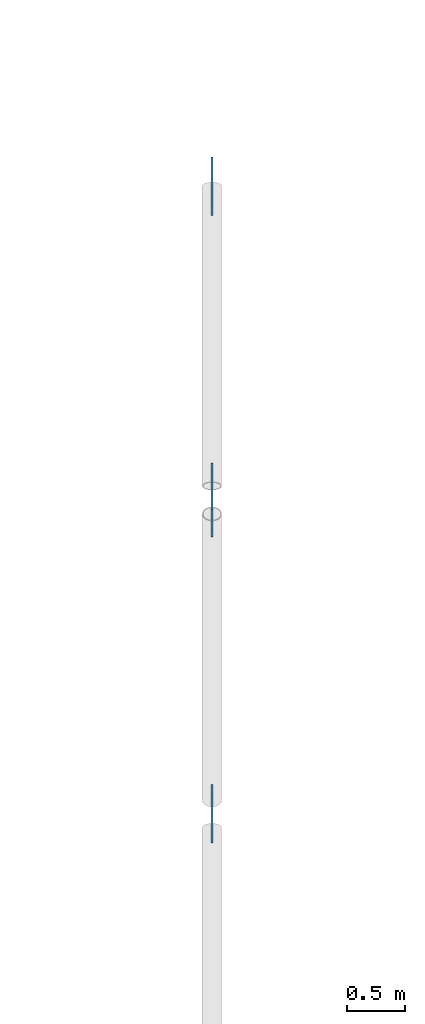
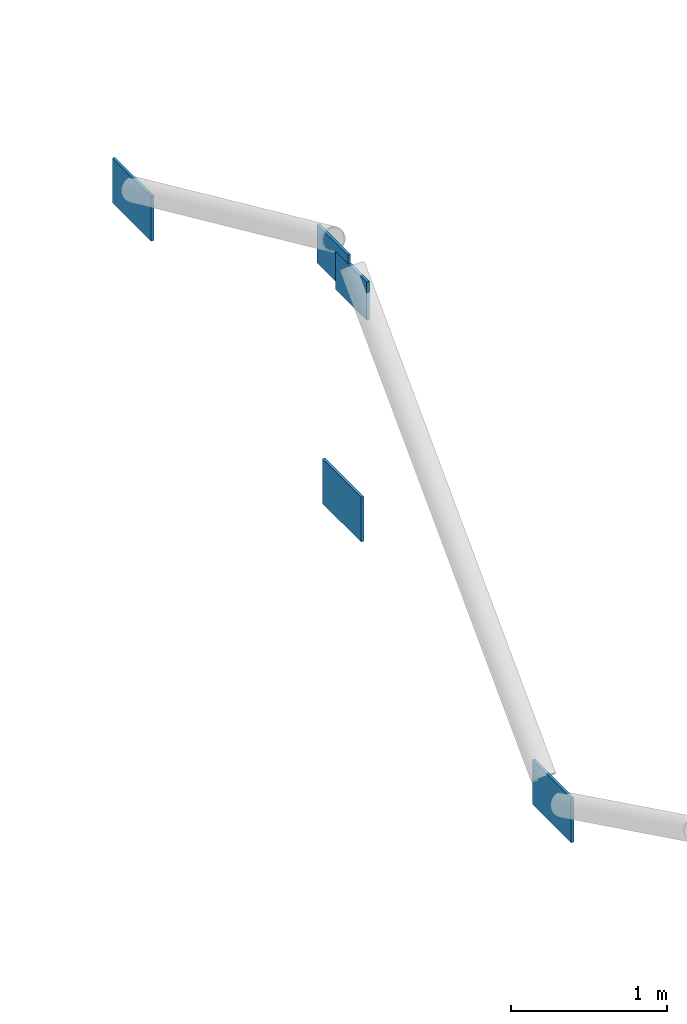
# One storey, part 19 of 23: 5 discrete accessories.
"""IFC4 building model written with IfcOpenShell, lengths in metres."""

import ifcopenshell
import ifcopenshell.guid

model = None  # the IFC model being written
_history = None  # IfcOwnerHistory: only IFC2X3 demands one
_inside = {}  # id of a spatial element -> (the spatial element, [elements in it])
_under = {}  # id of a project, library or spatial element -> (it, [spatial elements below it])
_declared = {}  # id of a project -> (the project, [libraries it declares])
_typed = {}  # id of a type object -> (the type object, [elements of that type])
_made_of = {}  # id of a material, layer set ... -> (it, [elements and type objects made of it])


def new_model(schema):
    """Start an empty IFC model of exactly this schema.

    Asked for "IFC4X3", IfcOpenShell would pick the latest addendum, in which some entities
    have other attributes; the version numbers below select the first issue.
    IFC2X3 requires an IfcOwnerHistory on every rooted entity: one is made here for all.
    """
    global model, _history
    if schema == "IFC4X3":
        model = ifcopenshell.file(schema_version=(4, 3, 0, 0))
    else:
        model = ifcopenshell.file(schema=schema)
    _inside.clear()
    _under.clear()
    _declared.clear()
    _typed.clear()
    _made_of.clear()
    _history = None
    if model.schema == "IFC2X3":
        org = make("IfcOrganization", Name="unknown")
        user = make(
            "IfcPersonAndOrganization",
            ThePerson=make("IfcPerson", FamilyName="unknown"),
            TheOrganization=org,
        )
        app = make(
            "IfcApplication",
            ApplicationDeveloper=org,
            Version="unknown",
            ApplicationFullName="unknown",
            ApplicationIdentifier="unknown",
        )
        _history = make(
            "IfcOwnerHistory",
            OwningUser=user,
            OwningApplication=app,
            ChangeAction="ADDED",
            CreationDate=0,
        )
    return model


def make(cls, **values):
    """One entity of the class cls with the attributes given. An attribute that is None is left unset."""
    return model.create_entity(
        cls, **{name: value for name, value in values.items() if value is not None}
    )


def rooted(cls, **values):
    """An entity with a GlobalId (a new one), such as an element, a storey or a relation."""
    return make(cls, GlobalId=ifcopenshell.guid.new(), OwnerHistory=_history, **values)


def si_unit(unit_type, name, prefix=None):
    """IfcSIUnit, for example si_unit("LENGTHUNIT", "METRE", prefix="MILLI")."""
    return make("IfcSIUnit", UnitType=unit_type, Prefix=prefix, Name=name)


def assignment(units):
    """IfcUnitAssignment: the units of a project."""
    return None if units is None else make("IfcUnitAssignment", Units=units)


def point(xyz):
    """IfcCartesianPoint."""
    return None if xyz is None else make("IfcCartesianPoint", Coordinates=xyz)


def direction(xyz):
    """IfcDirection."""
    return None if xyz is None else make("IfcDirection", DirectionRatios=xyz)


def frame(location, z_axis=None, x_axis=None):
    """IfcAxis2Placement3D, a coordinate frame: its origin and axes. An axis left out is left unset."""
    return make(
        "IfcAxis2Placement3D",
        Location=point(location),
        Axis=direction(z_axis),
        RefDirection=direction(x_axis),
    )


def frame_2d(location, x_axis=None):
    """IfcAxis2Placement2D, a coordinate frame in the plane: its origin and x axis."""
    return make(
        "IfcAxis2Placement2D", Location=point(location), RefDirection=direction(x_axis)
    )


def origin():
    """The frame at (0, 0, 0) with its axes left unset."""
    return frame((0.0, 0.0, 0.0))


def origin_2d():
    """The frame at (0, 0) in the plane with its x axis left unset."""
    return frame_2d((0.0, 0.0))


def place(relative_to, where):
    """IfcLocalPlacement: puts the frame where relative to a parent placement (None: the world)."""
    return make(
        "IfcLocalPlacement", PlacementRelTo=relative_to, RelativePlacement=where
    )


def context(
    kind, dimensions, precision=None, world=None, true_north=None, identifier=None
):
    """IfcGeometricRepresentationContext, for example the 3D "Model" context."""
    return make(
        "IfcGeometricRepresentationContext",
        ContextIdentifier=identifier,
        ContextType=kind,
        CoordinateSpaceDimension=dimensions,
        Precision=precision,
        WorldCoordinateSystem=world,
        TrueNorth=true_north,
    )


def subcontext(parent, identifier, kind, view, scale=None):
    """IfcGeometricRepresentationSubContext, for example "Body" below "Model"."""
    return make(
        "IfcGeometricRepresentationSubContext",
        ContextIdentifier=identifier,
        ContextType=kind,
        ParentContext=parent,
        TargetScale=scale,
        TargetView=view,
    )


def project(units=None, contexts=None):
    """IfcProject with its units and contexts."""
    return rooted(
        "IfcProject",
        Name="project",
        RepresentationContexts=contexts,
        UnitsInContext=assignment(units),
    )


def spatial(cls, under=None, at=None, **own):
    """A site, building, storey or space (cls), placed at a placement, below another one or the project."""
    s = rooted(cls, ObjectPlacement=at, **own)
    if under is not None:
        _under.setdefault(under.id(), (under, []))[1].append(s)
    return s


def profile(cls, at=None, kind="AREA", **sizes):
    """A parametric profile (cls). Its sizes go by their IFC names, for example OverallWidth=200.0."""
    return make(cls, ProfileType=kind, Position=at, **sizes)


def rectangle(**sizes):
    """IfcRectangleProfileDef."""
    return profile("IfcRectangleProfileDef", **sizes)


def extrude(swept, where, along, depth):
    """IfcExtrudedAreaSolid: the profile swept, set in the frame where, extruded along a direction by depth."""
    return make(
        "IfcExtrudedAreaSolid",
        SweptArea=swept,
        Position=where,
        ExtrudedDirection=direction(along),
        Depth=depth,
    )


def shape(context_of_items, identifier, shape_type, items):
    """IfcShapeRepresentation: the items that make up one representation, for example the "Body"."""
    return make(
        "IfcShapeRepresentation",
        ContextOfItems=context_of_items,
        RepresentationIdentifier=identifier,
        RepresentationType=shape_type,
        Items=items,
    )


def material(Name=None, Category=None):
    """IfcMaterial."""
    return make("IfcMaterial", Name=Name, Category=Category)


def layer(
    of_material, thickness, ventilated=None, Name=None, Category=None, Priority=None
):
    """IfcMaterialLayer: one layer of a wall or slab, of a material (None: an air gap)."""
    return make(
        "IfcMaterialLayer",
        Material=of_material,
        LayerThickness=thickness,
        IsVentilated=ventilated,
        Name=Name,
        Category=Category,
        Priority=Priority,
    )


def layer_set(layers, Name=None):
    """IfcMaterialLayerSet."""
    return make("IfcMaterialLayerSet", MaterialLayers=layers, LayerSetName=Name)


def made_of(thing, what):
    """Note that an element or type object is made of a material, layer set ...; save() writes the relation."""
    if what is not None:
        _made_of.setdefault(what.id(), (what, []))[1].append(thing)
    return thing


def type_object(cls, material=None, **own):
    """A type object (cls), such as IfcWallType, which elements share."""
    return made_of(rooted(cls, **own), material)


def element(
    cls,
    number,
    at=None,
    inside=None,
    cuts=None,
    type_object=None,
    material=None,
    context=None,
    identifier="Body",
    shape_type=None,
    held_by="IfcProductDefinitionShape",
    body=None,
    shapes=None,
    **own,
):
    """One element of the class cls, such as IfcWall. Its Tag is "e" and its number.

    at: its placement. inside: the storey or other place that contains it. cuts: it is an
    opening in that element (IfcRelVoidsElement). A single representation is given by context,
    identifier, shape_type and body (its items); several are given by shapes. held_by: the class
    of the entity that holds the representations. save() writes the other relations.
    """
    e = rooted(cls, Tag="e%d" % number, ObjectPlacement=at, **own)
    if body is not None:
        shapes = [shape(context, identifier, shape_type, body)]
    if shapes is not None:
        e.Representation = make(held_by, Representations=shapes)
    if inside is not None:
        _inside.setdefault(inside.id(), (inside, []))[1].append(e)
    if cuts is not None:
        rooted(
            "IfcRelVoidsElement", RelatingBuildingElement=cuts, RelatedOpeningElement=e
        )
    if type_object is not None:
        _typed.setdefault(type_object.id(), (type_object, []))[1].append(e)
    return made_of(e, material)


def aggregate(whole, parts):
    """IfcRelAggregates: a whole, such as a stair, and the parts it consists of."""
    return rooted("IfcRelAggregates", RelatingObject=whole, RelatedObjects=parts)


def save(model, path):
    """Write the relations noted so far, then the file.

    IfcRelAggregates (storeys below a building ...), IfcRelContainedInSpatialStructure (elements
    in a storey), IfcRelDefinesByType, IfcRelAssociatesMaterial and IfcRelDeclares: one each for
    every whole, place, type object, material and project.
    """
    for whole, parts in _under.values():
        aggregate(whole, parts)
    for where, things in _inside.values():
        rooted(
            "IfcRelContainedInSpatialStructure",
            RelatedElements=things,
            RelatingStructure=where,
        )
    for kind, things in _typed.values():
        rooted("IfcRelDefinesByType", RelatedObjects=things, RelatingType=kind)
    for what, things in _made_of.values():
        rooted("IfcRelAssociatesMaterial", RelatedObjects=things, RelatingMaterial=what)
    for by, libraries in _declared.values():
        rooted("IfcRelDeclares", RelatingContext=by, RelatedDefinitions=libraries)
    model.write(path)


model = new_model("IFC4")

# Units and contexts
model_context = context("Model", 3, precision=1e-05, world=origin(), true_north=direction((0.0, 1.0)))
body_context = subcontext(model_context, "Body", "Model", "MODEL_VIEW")
ifc_project = project(units=[si_unit("LENGTHUNIT", "METRE"), si_unit("AREAUNIT", "SQUARE_METRE"), si_unit("VOLUMEUNIT", "CUBIC_METRE"), si_unit("PLANEANGLEUNIT", "RADIAN"), si_unit("MASSUNIT", "GRAM", prefix="KILO")], contexts=[model_context])

# Site, building, storey
site_placement = place(None, origin())
site = spatial("IfcSite", under=ifc_project, at=site_placement, CompositionType="ELEMENT")
building_placement = place(site_placement, origin())
building = spatial("IfcBuilding", under=site, at=building_placement, Name="Tabaq Tower and Sports Hall", CompositionType="ELEMENT")
storey_placement = place(building_placement, frame((0.0, 0.0, 29.10009765625)))
storey = spatial("IfcBuildingStorey", under=building, at=storey_placement, Name="L05", CompositionType="ELEMENT", Elevation=29.10009765625)

# Discrete accessories
ifc_material_1 = material(Name="Steel S355", Category="steel")
ifc_layer_1 = layer(ifc_material_1, 0.02001953125)
ifc_layer_set_1 = layer_set([ifc_layer_1], Name="ROOF TRUSS BEARING PLATE 400x300x20 S355")
discrete_accessory_type_1 = type_object("IfcDiscreteAccessoryType", Name="ROOF TRUSS BEARING PLATE 400x300x20 S355", PredefinedType="ANCHORPLATE", material=ifc_layer_set_1)
for number, where, z_axis, x_axis, name in (
    (1, (118.800048828125, 34.97998046875, 3.69482421875), (0.0, 0.0, 1.0), (1.0, 0.0, 0.0), "Roof truss 4 bearing plate 09"),
    (2, (118.800048828125, 35.219970703125, 3.75927734375), (0.0, 0.0, 1.0), (1.0, 0.0, 0.0), "Roof truss 4 bearing plate 10"),
):
    element("IfcDiscreteAccessory", number, at=place(storey_placement, frame(where, z_axis=z_axis, x_axis=x_axis)), inside=storey, type_object=discrete_accessory_type_1, Name=name, PredefinedType="ANCHORPLATE", context=body_context, shape_type="SweptSolid", body=[
        extrude(rectangle(XDim=0.02001953125, YDim=0.39990234375, at=origin_2d()), origin(), (0.0, 0.0, 1.0), 0.300048828125),
    ])
ifc_material_2 = material(Name="Steel S355", Category="steel")
ifc_layer_2 = layer(ifc_material_2, 0.02001953125)
ifc_layer_set_2 = layer_set([ifc_layer_2], Name="ROOF TRUSS NODE PLATE 500x350x20 S355")
discrete_accessory_type_2 = type_object("IfcDiscreteAccessoryType", Name="ROOF TRUSS NODE PLATE 500x350x20 S355", PredefinedType="ANCHORPLATE", material=ifc_layer_set_2)
for number, where, z_axis, x_axis, name in (
    (3, (118.800048828125, 32.39990234375, 1.1884765625), (0.0, 0.0, 1.0), (1.0, 0.0, 0.0), "Roof truss 4 node plate 09"),
    (4, (118.800048828125, 35.10009765625, 1.912109375), (0.0, 0.0, 1.0), (1.0, 0.0, 0.0), "Roof truss 4 node plate 10"),
    (5, (118.800048828125, 37.800048828125, 2.635498046875), (0.0, 0.0, 1.0), (1.0, 0.0, 0.0), "Roof truss 4 node plate 11"),
):
    element("IfcDiscreteAccessory", number, at=place(storey_placement, frame(where, z_axis=z_axis, x_axis=x_axis)), inside=storey, type_object=discrete_accessory_type_2, Name=name, PredefinedType="ANCHORPLATE", context=body_context, shape_type="SweptSolid", body=[
        extrude(rectangle(XDim=0.02001953125, YDim=0.5, at=origin_2d()), origin(), (0.0, 0.0, 1.0), 0.35009765625),
    ])

save(model, "model.ifc")
